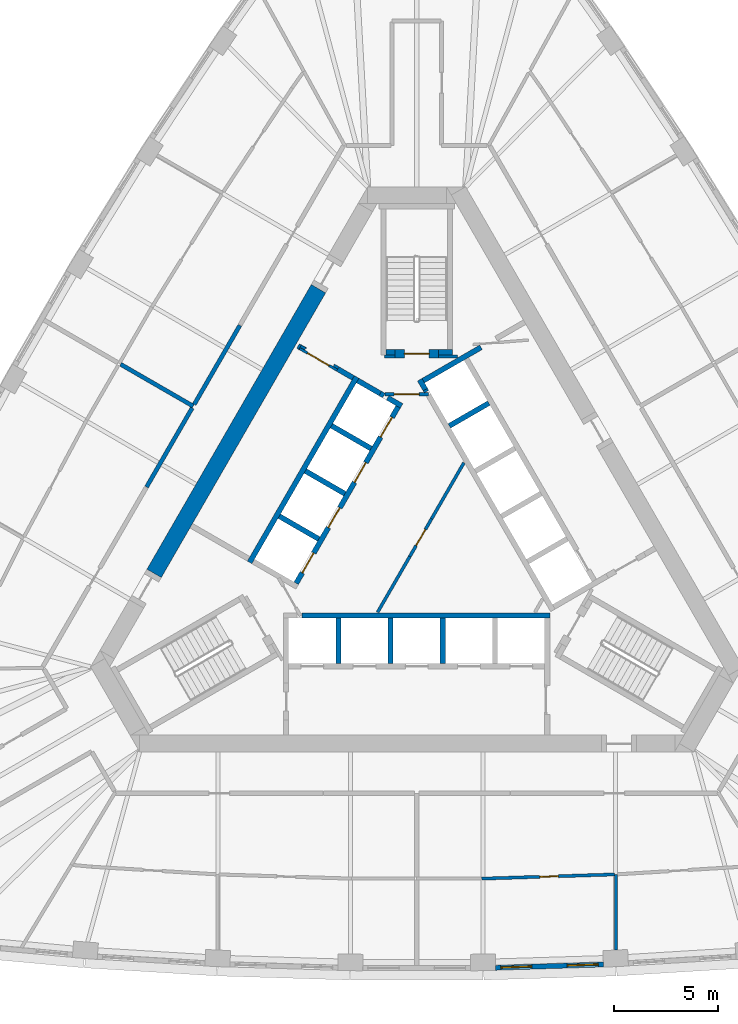
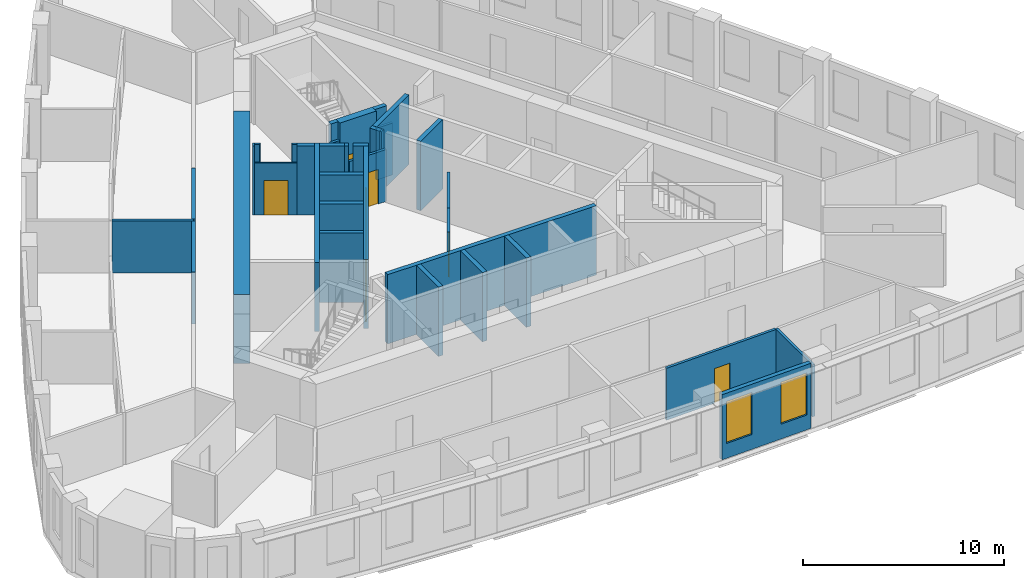
# One storey, part 5 of 10: 37 walls, 9 doors, 2 windows, 11 openings.
"""IFC4 building model written with IfcOpenShell, lengths in metres."""

from ifc_helpers import new_model, si_unit, direction, frame, frame_2d, origin, place, context, subcontext, project, spatial, polyline, rectangle, outline, extrude, material, layer, layer_set, type_object, element, fill, save


model = new_model("IFC4")

# Units and contexts
model_context = context("Model", 3, precision=1e-05, world=origin(), true_north=direction((0.0, 1.0)))
body_context = subcontext(model_context, "Body", "Model", "MODEL_VIEW")
ifc_project = project(units=[si_unit("LENGTHUNIT", "METRE"), si_unit("AREAUNIT", "SQUARE_METRE"), si_unit("VOLUMEUNIT", "CUBIC_METRE"), si_unit("PLANEANGLEUNIT", "RADIAN"), si_unit("MASSUNIT", "GRAM", prefix="KILO")], contexts=[model_context])

# Site, building, storey
site_placement = place(None, origin())
site = spatial("IfcSite", under=ifc_project, at=site_placement, CompositionType="ELEMENT")
building_placement = place(site_placement, origin())
building = spatial("IfcBuilding", under=site, at=building_placement, Name="Mestral Congress Tower", CompositionType="ELEMENT")
storey_placement = place(building_placement, frame((0.0, 0.0, 162.60009765625)))
storey = spatial("IfcBuildingStorey", under=building, at=storey_placement, Name="L38", CompositionType="ELEMENT", Elevation=162.60009765625)

# Walls
ifc_material_1 = material(Name="Fire-rated board partition")
ifc_layer_1 = layer(ifc_material_1, 0.14990234375)
ifc_layer_set_1 = layer_set([ifc_layer_1], Name="Fire-rated board partition")
wall_type_1 = type_object("IfcWallType", Name="Core partition 150", PredefinedType="PARTITIONING", material=ifc_layer_set_1)
wall_1_placement = place(storey_placement, frame((1.050048828125, 8.62548828125, 0.0), z_axis=(0.0, 0.0, 1.0), x_axis=(1.0, 0.0, 0.0)))
element("IfcWall", 1, at=wall_1_placement, inside=storey, type_object=wall_type_1, Name="L38 core wall", PredefinedType="PARTITIONING", context=body_context, shape_type="SweptSolid", body=[
    extrude(rectangle(XDim=0.9287109375, YDim=0.14990234375, at=frame_2d((0.46435546875, 0.0))), origin(), (0.0, 0.0, 1.0), 3.14990234375),
])
wall_2_placement = place(storey_placement, frame((-1.56396484375, 8.62548828125, 0.0), z_axis=(0.0, 0.0, 1.0), x_axis=(1.0, 0.0, 0.0)))
element("IfcWall", 2, at=wall_2_placement, inside=storey, type_object=wall_type_1, Name="L38 core wall", PredefinedType="PARTITIONING", context=body_context, shape_type="SweptSolid", body=[
    extrude(rectangle(XDim=0.513916015625, YDim=0.14990234375, at=frame_2d((0.2568359375, 0.0))), origin(), (0.0, 0.0, 1.0), 3.14990234375),
])
wall_3_placement = place(storey_placement, frame((-1.886962890625, -3.71826171875, 0.0), z_axis=(0.0, 0.0, 1.0), x_axis=(0.500043732237, 0.866000153493, 0.0)))
element("IfcWall", 3, at=wall_3_placement, inside=storey, type_object=wall_type_1, Name="L38 core wall", PredefinedType="PARTITIONING", context=body_context, shape_type="SweptSolid", body=[
    extrude(rectangle(XDim=3.113525390625, YDim=0.14990234375, at=frame_2d((1.556640625, 0.0))), origin(), (0.0, 0.0, 1.0), 3.14990234375),
])
wall_4_placement = place(storey_placement, frame((0.719970703125, 0.796875, 0.0), z_axis=(0.0, 0.0, 1.0), x_axis=(0.499984921984, 0.866034108906, 0.0)))
element("IfcWall", 4, at=wall_4_placement, inside=storey, type_object=wall_type_1, Name="L38 core wall", PredefinedType="PARTITIONING", context=body_context, shape_type="SweptSolid", body=[
    extrude(rectangle(XDim=3.11328125, YDim=0.14990234375, at=frame_2d((1.556640625, 0.0))), origin(), (0.0, 0.0, 1.0), 3.14990234375),
])

# Wall, opening, door
wall_5_placement = place(storey_placement, frame((-0.330078125, -1.021728515625, 0.0), z_axis=(0.0, 0.0, 1.0), x_axis=(0.500027713859, 0.866009402589, 0.0)))
wall_5 = element("IfcWall", 5, at=wall_5_placement, inside=storey, type_object=wall_type_1, Name="L38 door wall", PredefinedType="PARTITIONING", context=body_context, shape_type="SweptSolid", body=[
    extrude(rectangle(XDim=2.10009765625, YDim=0.14990234375, at=frame_2d((1.050048828125, 0.0))), origin(), (0.0, 0.0, 1.0), 3.14990234375),
])
opening_1_placement = place(wall_5_placement, frame((0.60009765625, 0.0, 0.0)))
opening_1 = element("IfcOpeningElement", 6, at=opening_1_placement, cuts=wall_5, Name="Opening CD1-HUB0", PredefinedType="OPENING", context=body_context, shape_type="SweptSolid", body=[
    extrude(rectangle(XDim=0.89990234375, YDim=2.10009765625, at=frame_2d((0.449951171875, 1.050048828125))), frame((0.0, 0.0849609375, 0.0), z_axis=(0.0, -1.0, 0.0), x_axis=(1.0, 0.0, 0.0)), (0.0, 0.0, 1.0), 0.169921875),
])
ifc_material_2 = material(Name="Fire-rated steel door set", Category="steel")
door_type_1 = type_object("IfcDoorType", Name="Core door CD 900x2100", OperationType="SINGLE_SWING_LEFT", PredefinedType="DOOR", material=ifc_material_2)
door_1_placement = place(opening_1_placement, origin())
door_1 = element("IfcDoor", 7, at=door_1_placement, inside=storey, type_object=door_type_1, Name="Door CD1-HUB0", OperationType="SINGLE_SWING_LEFT", OverallHeight=2.10009765625, OverallWidth=0.89990234375, PredefinedType="DOOR", context=body_context, shape_type="SweptSolid", body=[
    extrude(rectangle(XDim=0.89990234375, YDim=2.10009765625, at=frame_2d((0.449951171875, 1.050048828125))), frame((0.0, 0.02490234375, 0.0), z_axis=(0.0, -1.0, 0.0), x_axis=(1.0, 0.0, 0.0)), (0.0, 0.0, 1.0), 0.050048828125),
])
fill(opening_1, door_1)

wall_6_placement = place(storey_placement, frame((-1.534423828125, 6.800048828125, 0.0), z_axis=(0.0, 0.0, 1.0), x_axis=(1.0, 0.0, 0.0)))
wall_6 = element("IfcWall", 8, at=wall_6_placement, inside=storey, type_object=wall_type_1, Name="L38 door wall", PredefinedType="PARTITIONING", context=body_context, shape_type="SweptSolid", body=[
    extrude(rectangle(XDim=2.099853515625, YDim=0.14990234375, at=frame_2d((1.0498046875, 0.0))), origin(), (0.0, 0.0, 1.0), 3.14990234375),
])
opening_2_placement = place(wall_6_placement, frame((0.449951171875, 0.0, 0.0)))
opening_2 = element("IfcOpeningElement", 9, at=opening_2_placement, cuts=wall_6, Name="Opening CD2-FF", PredefinedType="OPENING", context=body_context, shape_type="SweptSolid", body=[
    extrude(rectangle(XDim=1.199951171875, YDim=2.10009765625, at=frame_2d((0.60009765625, 1.050048828125))), frame((0.0, 0.0849609375, 0.0), z_axis=(0.0, -1.0, 0.0), x_axis=(1.0, 0.0, 0.0)), (0.0, 0.0, 1.0), 0.169921875),
])
door_type_2 = type_object("IfcDoorType", Name="Core door CD 1200x2100", OperationType="SINGLE_SWING_LEFT", PredefinedType="DOOR", material=ifc_material_2)
door_2_placement = place(opening_2_placement, origin())
door_2 = element("IfcDoor", 10, at=door_2_placement, inside=storey, type_object=door_type_2, Name="Door CD2-FF", OperationType="SINGLE_SWING_LEFT", OverallHeight=2.10009765625, OverallWidth=1.199951171875, PredefinedType="DOOR", context=body_context, shape_type="SweptSolid", body=[
    extrude(rectangle(XDim=1.199951171875, YDim=2.10009765625, at=frame_2d((0.60009765625, 1.050048828125))), frame((0.0, 0.02490234375, 0.0), z_axis=(0.0, -1.0, 0.0), x_axis=(1.0, 0.0, 0.0)), (0.0, 0.0, 1.0), 0.050048828125),
])
fill(opening_2, door_2)

ifc_layer_2 = layer(ifc_material_1, 0.1201171875)
ifc_layer_set_2 = layer_set([ifc_layer_2], Name="Fire-rated board partition")
wall_type_2 = type_object("IfcWallType", Name="Core partition 150 door-wall 120", PredefinedType="PARTITIONING", material=ifc_layer_set_2)
wall_7_placement = place(storey_placement, frame((-5.65869140625, 9.01171875, 0.0), z_axis=(0.0, 0.0, 1.0), x_axis=(0.866009402589, -0.500027713859, 0.0)))
wall_7 = element("IfcWall", 11, at=wall_7_placement, inside=storey, type_object=wall_type_2, Name="L38 door wall", PredefinedType="PARTITIONING", context=body_context, shape_type="SweptSolid", body=[
    extrude(rectangle(XDim=2.10009765625, YDim=0.1201171875, at=frame_2d((1.050048828125, 0.0))), origin(), (0.0, 0.0, 1.0), 3.14990234375),
])
opening_3_placement = place(wall_7_placement, frame((0.449951171875, 0.0, 0.0)))
opening_3 = element("IfcOpeningElement", 12, at=opening_3_placement, cuts=wall_7, Name="Opening LB2-WL2", PredefinedType="OPENING", context=body_context, shape_type="SweptSolid", body=[
    extrude(rectangle(XDim=1.199951171875, YDim=2.10009765625, at=frame_2d((0.60009765625, 1.050048828125))), frame((0.0, 0.070068359375, 0.0), z_axis=(0.0, -1.0, 0.0), x_axis=(1.0, 0.0, 0.0)), (0.0, 0.0, 1.0), 0.14013671875),
])
door_type_3 = type_object("IfcDoorType", Name="Core door LB 1200x2100", OperationType="SINGLE_SWING_LEFT", PredefinedType="DOOR", material=ifc_material_2)
door_3_placement = place(opening_3_placement, origin())
door_3 = element("IfcDoor", 13, at=door_3_placement, inside=storey, type_object=door_type_3, Name="Door LB2-WL2", OperationType="SINGLE_SWING_LEFT", OverallHeight=2.10009765625, OverallWidth=1.199951171875, PredefinedType="DOOR", context=body_context, shape_type="SweptSolid", body=[
    extrude(rectangle(XDim=1.199951171875, YDim=2.10009765625, at=frame_2d((0.60009765625, 1.050048828125))), frame((0.0, 0.02490234375, 0.0), z_axis=(0.0, -1.0, 0.0), x_axis=(1.0, 0.0, 0.0)), (0.0, 0.0, 1.0), 0.050048828125),
])
fill(opening_3, door_3)

# Wall
ifc_material_3 = material(Name="Concrete C60/75", Category="concrete")
ifc_layer_3 = layer(ifc_material_3, 0.800048828125)
ifc_layer_set_3 = layer_set([ifc_layer_3], Name="Concrete C60/75")
wall_type_3 = type_object("IfcWallType", Name="Core wall RC 800", PredefinedType="SOLIDWALL", material=ifc_layer_set_3)
wall_8_placement = place(storey_placement, frame((-12.668212890625, -1.841796875, 0.0), z_axis=(0.0, 0.0, 1.0), x_axis=(0.500003640647, 0.866023301845, 0.0)))
element("IfcWall", 14, at=wall_8_placement, inside=storey, type_object=wall_type_3, Name="L38 core wall", PredefinedType="SOLIDWALL", context=body_context, shape_type="SweptSolid", body=[
    extrude(rectangle(XDim=15.8583984375, YDim=0.800048828125, at=frame_2d((7.92919921875, 0.0))), origin(), (0.0, 0.0, 1.0), 4.199951171875),
])

# Wall, openings, windows
ifc_material_4 = material(Name="Precast concrete C40/50 with limestone facing", Category="masonry")
ifc_layer_4 = layer(ifc_material_4, 0.239990234375)
ifc_layer_set_4 = layer_set([ifc_layer_4], Name="Precast concrete C40/50 with limestone facing")
wall_type_4 = type_object("IfcWallType", Name="Facade stone wall 240", PredefinedType="SOLIDWALL", material=ifc_layer_set_4)
wall_9_placement = place(storey_placement, frame((3.80615234375, -20.869873046875, 0.0), z_axis=(0.0, 0.0, 1.0), x_axis=(0.999533441983, 0.030543384845, 0.0)))
wall_9 = element("IfcWall", 15, at=wall_9_placement, inside=storey, type_object=wall_type_4, Name="Facade wall F0-04", PredefinedType="SOLIDWALL", context=body_context, shape_type="SweptSolid", body=[
    extrude(rectangle(XDim=5.20361328125, YDim=0.239990234375, at=frame_2d((2.601806640625, 0.0))), origin(), (0.0, 0.0, 1.0), 3.949951171875),
])
opening_4_placement = place(wall_9_placement, frame((0.248291015625, 0.0, 0.89990234375)))
opening_4 = element("IfcOpeningElement", 16, at=opening_4_placement, cuts=wall_9, Name="Opening W4", PredefinedType="OPENING", context=body_context, shape_type="SweptSolid", body=[
    extrude(rectangle(XDim=1.5, YDim=2.550048828125, at=frame_2d((0.75, 1.27490234375))), frame((0.0, 0.1298828125, 0.0), z_axis=(0.0, -1.0, 0.0), x_axis=(1.0, 0.0, 0.0)), (0.0, 0.0, 1.0), 0.260009765625),
])
opening_5_placement = place(wall_9_placement, frame((3.455078125, 0.0, 0.89990234375)))
opening_5 = element("IfcOpeningElement", 17, at=opening_5_placement, cuts=wall_9, Name="Opening W4", PredefinedType="OPENING", context=body_context, shape_type="SweptSolid", body=[
    extrude(rectangle(XDim=1.5, YDim=2.550048828125, at=frame_2d((0.75, 1.27490234375))), frame((0.0, 0.1298828125, 0.0), z_axis=(0.0, -1.0, 0.0), x_axis=(1.0, 0.0, 0.0)), (0.0, 0.0, 1.0), 0.260009765625),
])
ifc_material_5 = material(Name="Clear low-emissivity double glazing", Category="glass")
window_type = type_object("IfcWindowType", Name="Facade punched window 1500 x 2550 sill 900", PartitioningType="SINGLE_PANEL", PredefinedType="WINDOW", material=ifc_material_5)
window_1_placement = place(opening_4_placement, origin())
window_1 = element("IfcWindow", 18, at=window_1_placement, inside=storey, type_object=window_type, Name="Window F0-04a", OverallHeight=2.550048828125, OverallWidth=1.5, PartitioningType="SINGLE_PANEL", PredefinedType="WINDOW", context=body_context, shape_type="SweptSolid", body=[
    extrude(rectangle(XDim=1.5, YDim=2.550048828125, at=frame_2d((0.75, 1.27490234375))), frame((0.0, 0.0400390625, 0.0), z_axis=(0.0, -1.0, 0.0), x_axis=(1.0, 0.0, 0.0)), (0.0, 0.0, 1.0), 0.06005859375),
])
fill(opening_4, window_1)
window_2_placement = place(opening_5_placement, origin())
window_2 = element("IfcWindow", 19, at=window_2_placement, inside=storey, type_object=window_type, Name="Window F0-04b", OverallHeight=2.550048828125, OverallWidth=1.5, PartitioningType="SINGLE_PANEL", PredefinedType="WINDOW", context=body_context, shape_type="SweptSolid", body=[
    extrude(rectangle(XDim=1.5, YDim=2.550048828125, at=frame_2d((0.75, 1.27490234375))), frame((0.0, 0.0400390625, 0.0), z_axis=(0.0, -1.0, 0.0), x_axis=(1.0, 0.0, 0.0)), (0.0, 0.0, 1.0), 0.06005859375),
])
fill(opening_5, window_2)

# Wall
ifc_material_6 = material(Name="Plasterboard partition on steel studs", Category="steel")
ifc_layer_5 = layer(ifc_material_6, 0.14990234375)
ifc_layer_set_5 = layer_set([ifc_layer_5], Name="Plasterboard partition on steel studs")
wall_type_5 = type_object("IfcWallType", Name="Office partition 150", PredefinedType="PARTITIONING", material=ifc_layer_set_5)
wall_10_placement = place(storey_placement, frame((9.6171875, -16.364013671875, 0.0), z_axis=(0.0, 0.0, 1.0), x_axis=(0.0, -1.0, 0.0)))
element("IfcWall", 20, at=wall_10_placement, inside=storey, type_object=wall_type_5, Name="Partition", PredefinedType="PARTITIONING", context=body_context, shape_type="SweptSolid", body=[
    extrude(rectangle(XDim=3.6474609375, YDim=0.14990234375, at=frame_2d((1.82373046875, 0.0))), origin(), (0.0, 0.0, 1.0), 3.14990234375),
])

# Wall, opening, door
wall_11_placement = place(storey_placement, frame((9.542236328125, -16.366455078125, 0.0), z_axis=(0.0, 0.0, 1.0), x_axis=(-0.999504575396, -0.031473858384, 0.0)))
wall_11 = element("IfcWall", 21, at=wall_11_placement, inside=storey, type_object=wall_type_5, Name="Partition", PredefinedType="PARTITIONING", context=body_context, shape_type="SweptSolid", body=[
    extrude(rectangle(XDim=6.4072265625, YDim=0.14990234375, at=frame_2d((3.20361328125, 0.0))), origin(), (0.0, 0.0, 1.0), 3.14990234375),
])
opening_6_placement = place(wall_11_placement, frame((2.707275390625, 0.0, 0.0)))
opening_6 = element("IfcOpeningElement", 22, at=opening_6_placement, cuts=wall_11, Name="Opening O02-001", PredefinedType="OPENING", context=body_context, shape_type="SweptSolid", body=[
    extrude(rectangle(XDim=0.89990234375, YDim=2.10009765625, at=frame_2d((0.449951171875, 1.050048828125))), frame((0.0, 0.0849609375, 0.0), z_axis=(0.0, -1.0, 0.0), x_axis=(1.0, 0.0, 0.0)), (0.0, 0.0, 1.0), 0.169921875),
])
ifc_material_7 = material(Name="Timber door set", Category="wood")
door_type_4 = type_object("IfcDoorType", Name="Office door 900x2100", OperationType="SINGLE_SWING_LEFT", PredefinedType="DOOR", material=ifc_material_7)
door_4_placement = place(opening_6_placement, origin())
door_4 = element("IfcDoor", 23, at=door_4_placement, inside=storey, type_object=door_type_4, Name="Door O02-001", OperationType="SINGLE_SWING_LEFT", OverallHeight=2.10009765625, OverallWidth=0.89990234375, PredefinedType="DOOR", context=body_context, shape_type="SweptSolid", body=[
    extrude(rectangle(XDim=0.89990234375, YDim=2.10009765625, at=frame_2d((0.449951171875, 1.050048828125))), frame((0.0, 0.02490234375, 0.0), z_axis=(0.0, -1.0, 0.0), x_axis=(1.0, 0.0, 0.0)), (0.0, 0.0, 1.0), 0.050048828125),
])
fill(opening_6, door_4)

# Walls
ifc_material_8 = material(Name="Dense masonry wall, plastered", Category="masonry")
ifc_layer_6 = layer(ifc_material_8, 0.199951171875)
ifc_layer_set_6 = layer_set([ifc_layer_6], Name="Dense masonry wall, plastered")
wall_type_6 = type_object("IfcWallType", Name="Office tenancy wall 200", PredefinedType="PARTITIONING", material=ifc_layer_set_6)
wall_12_placement = place(storey_placement, frame((-10.781982421875, 6.22509765625, 0.0), z_axis=(0.0, 0.0, 1.0), x_axis=(-0.866034752867, 0.499983806564, 0.0)))
element("IfcWall", 24, at=wall_12_placement, inside=storey, type_object=wall_type_6, Name="Tenancy wall", PredefinedType="PARTITIONING", context=body_context, shape_type="SweptSolid", body=[
    extrude(rectangle(XDim=4.043212890625, YDim=0.199951171875, at=frame_2d((2.021484375, 0.0))), origin(), (0.0, 0.0, 1.0), 3.14990234375),
])
for number, where, z_axis, x_axis, name in (
    (25, (-8.531982421875, 10.1220703125, 0.0), (0.0, 0.0, 1.0), (-0.499988222896, -0.866032203192, 0.0), "Tenancy wall"),
    (26, (-10.83203125, 6.138427734375, 0.0), (0.0, 0.0, 1.0), (-0.499988222896, -0.866032203192, 0.0), "Tenancy wall"),
):
    element("IfcWall", number, at=place(storey_placement, frame(where, z_axis=z_axis, x_axis=x_axis)), inside=storey, type_object=wall_type_6, Name=name, PredefinedType="PARTITIONING", context=body_context, shape_type="SweptSolid", body=[
        extrude(rectangle(XDim=4.39990234375, YDim=0.199951171875, at=frame_2d((2.199951171875, 0.0))), origin(), (0.0, 0.0, 1.0), 3.14990234375),
    ])
ifc_layer_7 = layer(ifc_material_3, 0.25)
ifc_layer_set_7 = layer_set([ifc_layer_7], Name="Concrete C60/75")
wall_type_7 = type_object("IfcWallType", Name="Shaft wall RC 250", PredefinedType="SOLIDWALL", material=ifc_layer_set_7)
wall_13_placement = place(storey_placement, frame((-5.544921875, -3.875, 0.0), z_axis=(0.0, 0.0, 1.0), x_axis=(1.0, 0.0, 0.0)))
element("IfcWall", 27, at=wall_13_placement, inside=storey, type_object=wall_type_7, Name="L38 core wall", PredefinedType="SOLIDWALL", context=body_context, shape_type="SweptSolid", body=[
    extrude(rectangle(XDim=11.969970703125, YDim=0.25, at=frame_2d((5.98486328125, 0.0))), origin(), (0.0, 0.0, 1.0), 4.199951171875),
])
for number, where, z_axis, x_axis, name in (
    (28, (1.260009765625, -4.0, 0.0), (0.0, 0.0, 1.0), (0.0, -1.0, 0.0), "L38 core wall"),
    (29, (-1.260009765625, -4.0, 0.0), (0.0, 0.0, 1.0), (0.0, -1.0, 0.0), "L38 core wall"),
    (30, (-3.780029296875, -4.0, 0.0), (0.0, 0.0, 1.0), (0.0, -1.0, 0.0), "L38 core wall"),
):
    element("IfcWall", number, at=place(storey_placement, frame(where, z_axis=z_axis, x_axis=x_axis)), inside=storey, type_object=wall_type_7, Name=name, PredefinedType="SOLIDWALL", context=body_context, shape_type="SweptSolid", body=[
        extrude(rectangle(XDim=2.199951171875, YDim=0.25, at=frame_2d((1.10009765625, 0.0))), origin(), (0.0, 0.0, 1.0), 4.199951171875),
    ])
wall_14_placement = place(storey_placement, frame((0.473388671875, 6.93017578125, 0.0), z_axis=(0.0, 0.0, 1.0), x_axis=(-0.49972245349, 0.866185586049, 0.0)))
element("IfcWall", 31, at=wall_14_placement, inside=storey, type_object=wall_type_7, Name="L38 core wall", PredefinedType="SOLIDWALL", context=body_context, shape_type="SweptSolid", body=[
    extrude(rectangle(XDim=0.10986328125, YDim=0.25, at=frame_2d((0.054931640625, 0.0))), origin(), (0.0, 0.0, 1.0), 4.199951171875),
])
wall_15_placement = place(storey_placement, frame((0.41748046875, 7.027099609375, 0.0), z_axis=(0.0, 0.0, 1.0), x_axis=(-0.500210807569, 0.865903659763, 0.0)))
element("IfcWall", 32, at=wall_15_placement, inside=storey, type_object=wall_type_7, Name="L38 core wall", PredefinedType="SOLIDWALL", context=body_context, shape_type="SweptSolid", body=[
    extrude(rectangle(XDim=0.548095703125, YDim=0.25, at=frame_2d((0.27392578125, 0.0))), origin(), (0.0, 0.0, 1.0), 4.199951171875),
])
wall_16_placement = place(storey_placement, frame((3.10009765625, 9.064453125, 0.0), z_axis=(0.0, 0.0, 1.0), x_axis=(-0.866030133475, -0.499991807846, 0.0)))
element("IfcWall", 33, at=wall_16_placement, inside=storey, type_object=wall_type_7, Name="L38 core wall", PredefinedType="SOLIDWALL", context=body_context, shape_type="SweptSolid", body=[
    extrude(rectangle(XDim=3.216796875, YDim=0.25, at=frame_2d((1.6083984375, 0.0))), origin(), (0.0, 0.0, 1.0), 4.199951171875),
])
wall_17_placement = place(storey_placement, frame((1.57421875, 5.273681640625, 0.0), z_axis=(0.0, 0.0, 1.0), x_axis=(0.866028486751, 0.499994660107, 0.0)))
element("IfcWall", 34, at=wall_17_placement, inside=storey, type_object=wall_type_7, Name="L38 core wall", PredefinedType="SOLIDWALL", context=body_context, shape_type="SweptSolid", body=[
    extrude(rectangle(XDim=2.19970703125, YDim=0.25, at=frame_2d((1.099853515625, 0.0))), origin(), (0.0, 0.0, 1.0), 4.199951171875),
])
wall_18_placement = place(storey_placement, frame((-8.06005859375, -1.310546875, 0.0), z_axis=(0.0, 0.0, 1.0), x_axis=(0.50000273126, 0.866023826885, 0.0)))
element("IfcWall", 35, at=wall_18_placement, inside=storey, type_object=wall_type_7, Name="L38 core wall", PredefinedType="SOLIDWALL", context=body_context, shape_type="SweptSolid", body=[
    extrude(rectangle(XDim=10.330078125, YDim=0.25, at=frame_2d((5.1650390625, 0.0))), origin(), (0.0, 0.0, 1.0), 4.199951171875),
])
wall_19_placement = place(storey_placement, frame((-1.75830078125, 6.834716796875, 0.0), z_axis=(0.0, 0.0, 1.0), x_axis=(0.865982457891, -0.500074377092, 0.0)))
element("IfcWall", 36, at=wall_19_placement, inside=storey, type_object=wall_type_7, Name="L38 core wall", PredefinedType="SOLIDWALL", context=body_context, shape_type="SweptSolid", body=[
    extrude(rectangle(XDim=0.2001953125, YDim=0.25, at=frame_2d((0.10009765625, 0.0))), origin(), (0.0, 0.0, 1.0), 4.199951171875),
])
wall_20_placement = place(storey_placement, frame((-1.760009765625, 6.835693359375, 0.0), z_axis=(0.0, 0.0, 1.0), x_axis=(-0.865952863304, 0.500125622755, 0.0)))
element("IfcWall", 37, at=wall_20_placement, inside=storey, type_object=wall_type_7, Name="L38 core wall", PredefinedType="SOLIDWALL", context=body_context, shape_type="SweptSolid", body=[
    extrude(rectangle(XDim=1.258056640625, YDim=0.25, at=frame_2d((0.62890625, 0.0))), origin(), (0.0, 0.0, 1.0), 4.199951171875),
])
wall_21_placement = place(storey_placement, frame((-0.7275390625, 6.23974609375, 0.0), z_axis=(0.0, 0.0, 1.0), x_axis=(-0.865955664968, 0.500120771724, 0.0)))
element("IfcWall", 38, at=wall_21_placement, inside=storey, type_object=wall_type_7, Name="L38 core wall", PredefinedType="SOLIDWALL", context=body_context, shape_type="SweptSolid", body=[
    extrude(rectangle(XDim=0.778076171875, YDim=0.25, at=frame_2d((0.38916015625, 0.0))), origin(), (0.0, 0.0, 1.0), 4.199951171875),
])
for number, where, z_axis, x_axis, name in (
    (39, (-2.2041015625, 4.182373046875, 0.0), (0.0, 0.0, 1.0), (-0.866008176907, 0.50002983664, 0.0), "L38 core wall"),
    (40, (-5.369384765625, 3.10009765625, 0.0), (0.0, 0.0, 1.0), (0.866008176907, -0.50002983664, 0.0), "L38 core wall"),
    (41, (-4.72412109375, -0.182373046875, 0.0), (0.0, 0.0, 1.0), (-0.866008176907, 0.50002983664, 0.0), "L38 core wall"),
):
    element("IfcWall", number, at=place(storey_placement, frame(where, z_axis=z_axis, x_axis=x_axis)), inside=storey, type_object=wall_type_7, Name=name, PredefinedType="SOLIDWALL", context=body_context, shape_type="SweptSolid", body=[
        extrude(rectangle(XDim=2.199951171875, YDim=0.25, at=frame_2d((1.10009765625, 0.0))), origin(), (0.0, 0.0, 1.0), 4.199951171875),
    ])
wall_22_placement = place(storey_placement, frame((-5.724609375, 9.124755859375, 0.0), z_axis=(0.0, 0.0, 1.0), x_axis=(0.866185586049, -0.49972245349, 0.0)))
element("IfcWall", 42, at=wall_22_placement, inside=storey, type_object=wall_type_7, Name="L38 core wall", PredefinedType="SOLIDWALL", context=body_context, shape_type="SweptSolid", body=[
    extrude(rectangle(XDim=0.10986328125, YDim=0.25, at=frame_2d((0.054931640625, 0.0))), origin(), (0.0, 0.0, 1.0), 4.199951171875),
])
wall_23_placement = place(storey_placement, frame((-3.06591796875, 7.58984375, 0.0), z_axis=(0.0, 0.0, 1.0), x_axis=(-0.866081358704, 0.49990307071, 0.0)))
element("IfcWall", 43, at=wall_23_placement, inside=storey, type_object=wall_type_7, Name="L38 core wall", PredefinedType="SOLIDWALL", context=body_context, shape_type="SweptSolid", body=[
    extrude(rectangle(XDim=0.858154296875, YDim=0.25, at=frame_2d((0.42919921875, 0.0))), origin(), (0.0, 0.0, 1.0), 4.199951171875),
])
placement = place(storey_placement, origin())
element("IfcWall", 44, at=placement, inside=storey, type_object=wall_type_7, Name="L38 core wall", PredefinedType="SOLIDWALL", context=body_context, shape_type="SweptSolid", body=[
    extrude(outline(polyline([(-3.748291015625, 8.1279296875), (-3.813232421875, 8.015380859375), (-4.026611328125, 8.138671875), (-4.0166015625, 8.156005859375), (-4.007568359375, 8.17333984375), (-4.000244140625, 8.191650390625), (-3.994873046875, 8.21044921875), (-3.991455078125, 8.229736328125), (-3.98974609375, 8.24951171875), (-3.989990234375, 8.267578125), (-3.748291015625, 8.1279296875)])), origin(), (0.0, 0.0, 1.0), 4.199951171875),
])
element("IfcWall", 45, at=placement, inside=storey, type_object=wall_type_7, Name="L38 core wall", PredefinedType="SOLIDWALL", context=body_context, shape_type="SweptSolid", body=[
    extrude(outline(polyline([(-5.688720703125, 8.959716796875), (-5.690185546875, 8.960693359375), (-5.565185546875, 9.177001953125), (-5.318603515625, 9.03466796875), (-5.334716796875, 9.02587890625), (-5.3505859375, 9.0146484375), (-5.36572265625, 9.001953125), (-5.37939453125, 8.98779296875), (-5.3916015625, 8.972412109375), (-5.402099609375, 8.955810546875), (-5.412109375, 8.938720703125), (-5.628662109375, 9.063720703125), (-5.628662109375, 9.063720703125), (-5.688720703125, 8.959716796875)])), origin(), (0.0, 0.0, 1.0), 4.199951171875),
])

# Wall, openings, doors
wall_26_placement = place(storey_placement, frame((-0.898193359375, 6.194091796875, 0.0), z_axis=(0.0, 0.0, 1.0), x_axis=(-0.499996202215, -0.866027596426, 0.0)))
wall_26 = element("IfcWall", 46, at=wall_26_placement, inside=storey, type_object=wall_type_7, Name="L38 door wall", PredefinedType="SOLIDWALL", context=body_context, shape_type="SweptSolid", body=[
    extrude(rectangle(XDim=9.830078125, YDim=0.25, at=frame_2d((4.9150390625, 0.0))), origin(), (0.0, 0.0, 1.0), 4.199951171875),
])
opening_7_placement = place(wall_26_placement, frame((0.5849609375, 0.0, 0.0)))
opening_7 = element("IfcOpeningElement", 47, at=opening_7_placement, cuts=wall_26, Name="Opening LD-NWB1", PredefinedType="OPENING", context=body_context, shape_type="SweptSolid", body=[
    extrude(rectangle(XDim=1.10009765625, YDim=2.10009765625, at=frame_2d((0.550048828125, 1.050048828125))), frame((0.0, 0.135009765625, 0.0), z_axis=(0.0, -1.0, 0.0), x_axis=(1.0, 0.0, 0.0)), (0.0, 0.0, 1.0), 0.27001953125),
])
opening_8_placement = place(wall_26_placement, frame((3.10498046875, 0.0, 0.0)))
opening_8 = element("IfcOpeningElement", 48, at=opening_8_placement, cuts=wall_26, Name="Opening LD-NWB2", PredefinedType="OPENING", context=body_context, shape_type="SweptSolid", body=[
    extrude(rectangle(XDim=1.10009765625, YDim=2.10009765625, at=frame_2d((0.550048828125, 1.050048828125))), frame((0.0, 0.135009765625, 0.0), z_axis=(0.0, -1.0, 0.0), x_axis=(1.0, 0.0, 0.0)), (0.0, 0.0, 1.0), 0.27001953125),
])
opening_9_placement = place(wall_26_placement, frame((5.625, 0.0, 0.0)))
opening_9 = element("IfcOpeningElement", 49, at=opening_9_placement, cuts=wall_26, Name="Opening LD-NWB3", PredefinedType="OPENING", context=body_context, shape_type="SweptSolid", body=[
    extrude(rectangle(XDim=1.10009765625, YDim=2.10009765625, at=frame_2d((0.550048828125, 1.050048828125))), frame((0.0, 0.135009765625, 0.0), z_axis=(0.0, -1.0, 0.0), x_axis=(1.0, 0.0, 0.0)), (0.0, 0.0, 1.0), 0.27001953125),
])
opening_10_placement = place(wall_26_placement, frame((8.14501953125, 0.0, 0.0)))
opening_10 = element("IfcOpeningElement", 50, at=opening_10_placement, cuts=wall_26, Name="Opening LD-NWB4", PredefinedType="OPENING", context=body_context, shape_type="SweptSolid", body=[
    extrude(rectangle(XDim=1.10009765625, YDim=2.10009765625, at=frame_2d((0.550048828125, 1.050048828125))), frame((0.0, 0.135009765625, 0.0), z_axis=(0.0, -1.0, 0.0), x_axis=(1.0, 0.0, 0.0)), (0.0, 0.0, 1.0), 0.27001953125),
])
door_type_5 = type_object("IfcDoorType", Name="Core door LD 1100x2100", OperationType="DOUBLE_DOOR_SLIDING", PredefinedType="DOOR", material=ifc_material_2)
door_5_placement = place(opening_7_placement, origin())
door_5 = element("IfcDoor", 51, at=door_5_placement, inside=storey, type_object=door_type_5, Name="Door LD-NWB1", OperationType="DOUBLE_DOOR_SLIDING", OverallHeight=2.10009765625, OverallWidth=1.10009765625, PredefinedType="DOOR", context=body_context, shape_type="SweptSolid", body=[
    extrude(rectangle(XDim=1.10009765625, YDim=2.10009765625, at=frame_2d((0.550048828125, 1.050048828125))), frame((0.0, 0.02490234375, 0.0), z_axis=(0.0, -1.0, 0.0), x_axis=(1.0, 0.0, 0.0)), (0.0, 0.0, 1.0), 0.050048828125),
])
fill(opening_7, door_5)
door_6_placement = place(opening_8_placement, origin())
door_6 = element("IfcDoor", 52, at=door_6_placement, inside=storey, type_object=door_type_5, Name="Door LD-NWB2", OperationType="DOUBLE_DOOR_SLIDING", OverallHeight=2.10009765625, OverallWidth=1.10009765625, PredefinedType="DOOR", context=body_context, shape_type="SweptSolid", body=[
    extrude(rectangle(XDim=1.10009765625, YDim=2.10009765625, at=frame_2d((0.550048828125, 1.050048828125))), frame((0.0, 0.02490234375, 0.0), z_axis=(0.0, -1.0, 0.0), x_axis=(1.0, 0.0, 0.0)), (0.0, 0.0, 1.0), 0.050048828125),
])
fill(opening_8, door_6)
door_7_placement = place(opening_9_placement, origin())
door_7 = element("IfcDoor", 53, at=door_7_placement, inside=storey, type_object=door_type_5, Name="Door LD-NWB3", OperationType="DOUBLE_DOOR_SLIDING", OverallHeight=2.10009765625, OverallWidth=1.10009765625, PredefinedType="DOOR", context=body_context, shape_type="SweptSolid", body=[
    extrude(rectangle(XDim=1.10009765625, YDim=2.10009765625, at=frame_2d((0.550048828125, 1.050048828125))), frame((0.0, 0.02490234375, 0.0), z_axis=(0.0, -1.0, 0.0), x_axis=(1.0, 0.0, 0.0)), (0.0, 0.0, 1.0), 0.050048828125),
])
fill(opening_9, door_7)
door_8_placement = place(opening_10_placement, origin())
door_8 = element("IfcDoor", 54, at=door_8_placement, inside=storey, type_object=door_type_5, Name="Door LD-NWB4", OperationType="DOUBLE_DOOR_SLIDING", OverallHeight=2.10009765625, OverallWidth=1.10009765625, PredefinedType="DOOR", context=body_context, shape_type="SweptSolid", body=[
    extrude(rectangle(XDim=1.10009765625, YDim=2.10009765625, at=frame_2d((0.550048828125, 1.050048828125))), frame((0.0, 0.02490234375, 0.0), z_axis=(0.0, -1.0, 0.0), x_axis=(1.0, 0.0, 0.0)), (0.0, 0.0, 1.0), 0.050048828125),
])
fill(opening_10, door_8)

# Walls
ifc_layer_8 = layer(ifc_material_3, 0.25)
ifc_layer_set_8 = layer_set([ifc_layer_8], Name="Concrete C60/75")
wall_type_8 = type_object("IfcWallType", Name="Stair wall RC 250", PredefinedType="SOLIDWALL", material=ifc_layer_set_8)
wall_27_placement = place(storey_placement, frame((1.050048828125, 8.824951171875, 0.0), z_axis=(0.0, 0.0, 1.0), x_axis=(1.0, 0.0, 0.0)))
element("IfcWall", 55, at=wall_27_placement, inside=storey, type_object=wall_type_8, Name="L38 core wall", PredefinedType="SOLIDWALL", context=body_context, shape_type="SweptSolid", body=[
    extrude(rectangle(XDim=0.675048828125, YDim=0.25, at=frame_2d((0.33740234375, 0.0))), origin(), (0.0, 0.0, 1.0), 4.199951171875),
])
wall_28_placement = place(storey_placement, frame((-1.47509765625, 8.824951171875, 0.0), z_axis=(0.0, 0.0, 1.0), x_axis=(1.0, 0.0, 0.0)))
element("IfcWall", 56, at=wall_28_placement, inside=storey, type_object=wall_type_8, Name="L38 core wall", PredefinedType="SOLIDWALL", context=body_context, shape_type="SweptSolid", body=[
    extrude(rectangle(XDim=0.425048828125, YDim=0.25, at=frame_2d((0.21240234375, 0.0))), origin(), (0.0, 0.0, 1.0), 4.199951171875),
])

# Wall, opening, door
ifc_layer_9 = layer(ifc_material_3, 0.39990234375)
ifc_layer_set_9 = layer_set([ifc_layer_9], Name="Concrete C60/75")
wall_type_9 = type_object("IfcWallType", Name="Stair wall RC 250 door-wall 400", PredefinedType="SOLIDWALL", material=ifc_layer_set_9)
wall_29_placement = place(storey_placement, frame((1.050048828125, 8.75, 0.0), z_axis=(0.0, 0.0, 1.0), x_axis=(-1.0, 0.0, 0.0)))
wall_29 = element("IfcWall", 57, at=wall_29_placement, inside=storey, type_object=wall_type_9, Name="L38 door wall", PredefinedType="SOLIDWALL", context=body_context, shape_type="SweptSolid", body=[
    extrude(rectangle(XDim=2.10009765625, YDim=0.39990234375, at=frame_2d((1.050048828125, 0.0))), origin(), (0.0, 0.0, 1.0), 4.199951171875),
])
opening_11_placement = place(wall_29_placement, frame((0.449951171875, 0.0, 0.0)))
opening_11 = element("IfcOpeningElement", 58, at=opening_11_placement, cuts=wall_29, Name="Opening ST-D2", PredefinedType="OPENING", context=body_context, shape_type="SweptSolid", body=[
    extrude(rectangle(XDim=1.199951171875, YDim=2.10009765625, at=frame_2d((0.60009765625, 1.050048828125))), frame((0.0, 0.2099609375, 0.0), z_axis=(0.0, -1.0, 0.0), x_axis=(1.0, 0.0, 0.0)), (0.0, 0.0, 1.0), 0.419921875),
])
door_type_6 = type_object("IfcDoorType", Name="Core door ST 1200x2100", OperationType="SINGLE_SWING_LEFT", PredefinedType="DOOR", material=ifc_material_2)
door_9_placement = place(opening_11_placement, origin())
door_9 = element("IfcDoor", 59, at=door_9_placement, inside=storey, type_object=door_type_6, Name="Door ST-D2", OperationType="SINGLE_SWING_LEFT", OverallHeight=2.10009765625, OverallWidth=1.199951171875, PredefinedType="DOOR", context=body_context, shape_type="SweptSolid", body=[
    extrude(rectangle(XDim=1.199951171875, YDim=2.10009765625, at=frame_2d((0.60009765625, 1.050048828125))), frame((0.0, 0.02490234375, 0.0), z_axis=(0.0, -1.0, 0.0), x_axis=(1.0, 0.0, 0.0)), (0.0, 0.0, 1.0), 0.050048828125),
])
fill(opening_11, door_9)

save(model, "model.ifc")
